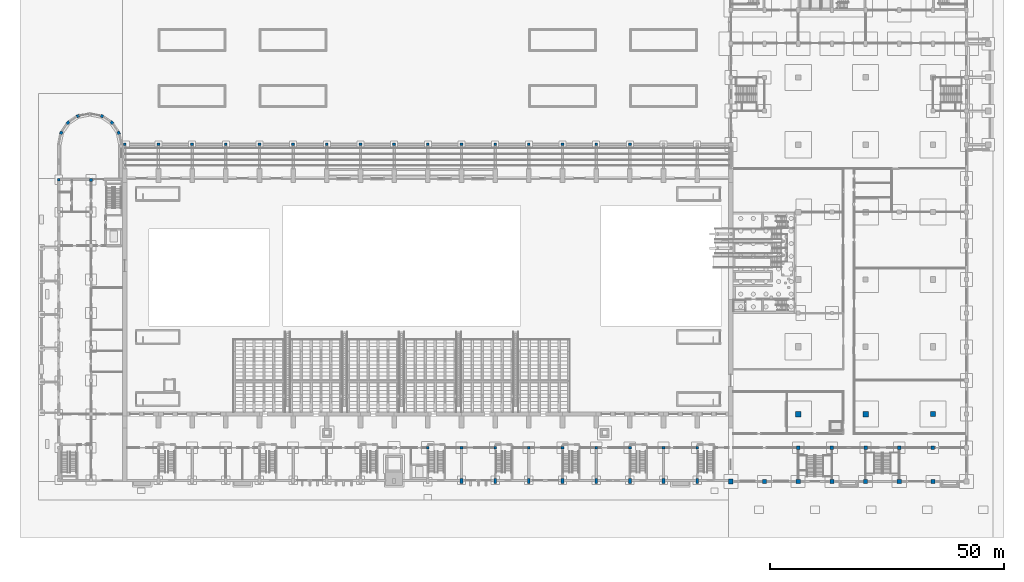
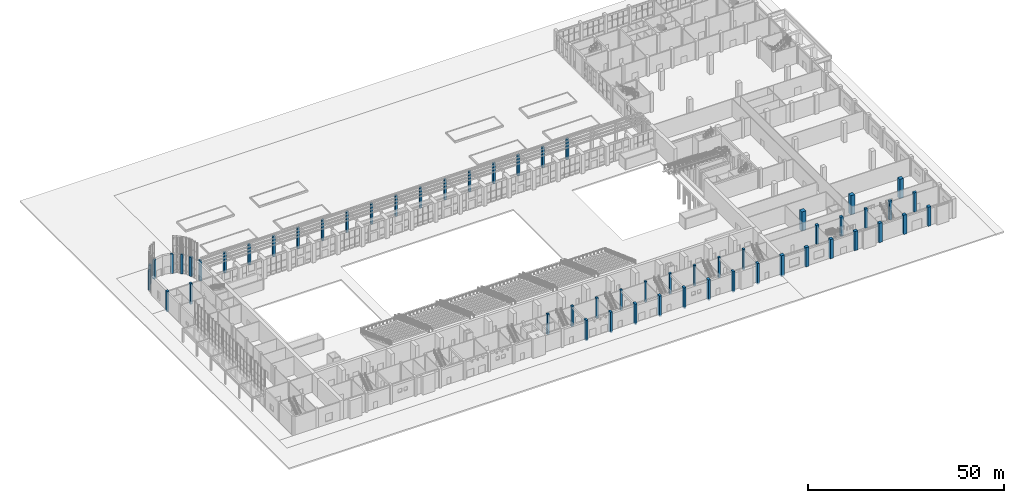
# One storey, part 5 of 70: 56 columns.
"""IFC4 building model written with IfcOpenShell, lengths in metres."""

from ifc_helpers import new_model, si_unit, direction, frame, origin, origin_2d, place, context, subcontext, project, spatial, rectangle, extrude, material, material_profile, profile_set, type_object, element, save


model = new_model("IFC4")

# Units and contexts
model_context = context("Model", 3, precision=1e-05, world=origin(), true_north=direction((0.0, 1.0)))
body_context = subcontext(model_context, "Body", "Model", "MODEL_VIEW")
ifc_project = project(units=[si_unit("LENGTHUNIT", "METRE"), si_unit("AREAUNIT", "SQUARE_METRE"), si_unit("VOLUMEUNIT", "CUBIC_METRE"), si_unit("PLANEANGLEUNIT", "RADIAN"), si_unit("MASSUNIT", "GRAM", prefix="KILO")], contexts=[model_context])

# Site, building, storey
site_placement = place(None, origin())
site = spatial("IfcSite", under=ifc_project, at=site_placement, CompositionType="ELEMENT")
building_placement = place(site_placement, origin())
building = spatial("IfcBuilding", under=site, at=building_placement, Name="Vermilion Court Aquatics Centre", CompositionType="ELEMENT")
storey_placement = place(building_placement, origin())
storey = spatial("IfcBuildingStorey", under=building, at=storey_placement, Name="L00", CompositionType="ELEMENT", Elevation=0.0)

# Columns
ifc_material_1 = material(Name="Concrete 5000 psi", Category="concrete")
ifc_material_profile_1 = material_profile(ifc_material_1, rectangle(XDim=0.60009765625, YDim=0.60009765625, at=origin_2d()), Name="RC 600x600")
ifc_profile_set_1 = profile_set([ifc_material_profile_1], Name="Concrete 5000 psi")
column_type_1 = type_object("IfcColumnType", Name="Court arcade column RC 600x600", PredefinedType="COLUMN", material=ifc_profile_set_1)
for number, where, z_axis, x_axis, name in (
    (1, (14.39990234375, 72.10009765625, -0.449951171875), (0.0, 0.0, 1.0), (1.0, 0.0, 0.0), "Court arcade column 1"),
    (2, (21.60009765625, 72.10009765625, -0.449951171875), (0.0, 0.0, 1.0), (1.0, 0.0, 0.0), "Court arcade column 2"),
    (3, (28.800048828125, 72.10009765625, -0.449951171875), (0.0, 0.0, 1.0), (1.0, 0.0, 0.0), "Court arcade column 3"),
    (4, (36.0, 72.10009765625, -0.449951171875), (0.0, 0.0, 1.0), (1.0, 0.0, 0.0), "Court arcade column 4"),
    (5, (43.199951171875, 72.10009765625, -0.449951171875), (0.0, 0.0, 1.0), (1.0, 0.0, 0.0), "Court arcade column 5"),
    (6, (50.39990234375, 72.10009765625, -0.449951171875), (0.0, 0.0, 1.0), (1.0, 0.0, 0.0), "Court arcade column 6"),
    (7, (57.60009765625, 72.10009765625, -0.449951171875), (0.0, 0.0, 1.0), (1.0, 0.0, 0.0), "Court arcade column 7"),
    (8, (64.800048828125, 72.10009765625, -0.449951171875), (0.0, 0.0, 1.0), (1.0, 0.0, 0.0), "Court arcade column 8"),
    (9, (72.0, 72.10009765625, -0.449951171875), (0.0, 0.0, 1.0), (1.0, 0.0, 0.0), "Court arcade column 9"),
    (10, (79.199951171875, 72.10009765625, -0.449951171875), (0.0, 0.0, 1.0), (1.0, 0.0, 0.0), "Court arcade column 10"),
    (11, (86.39990234375, 72.10009765625, -0.449951171875), (0.0, 0.0, 1.0), (1.0, 0.0, 0.0), "Court arcade column 11"),
    (12, (93.60009765625, 72.10009765625, -0.449951171875), (0.0, 0.0, 1.0), (1.0, 0.0, 0.0), "Court arcade column 12"),
    (13, (100.800048828125, 72.10009765625, -0.449951171875), (0.0, 0.0, 1.0), (1.0, 0.0, 0.0), "Court arcade column 13"),
    (14, (108.0, 72.10009765625, -0.449951171875), (0.0, 0.0, 1.0), (1.0, 0.0, 0.0), "Court arcade column 14"),
    (15, (115.199951171875, 72.10009765625, -0.449951171875), (0.0, 0.0, 1.0), (1.0, 0.0, 0.0), "Court arcade column 15"),
    (16, (122.39990234375, 72.10009765625, -0.449951171875), (0.0, 0.0, 1.0), (1.0, 0.0, 0.0), "Court arcade column 16"),
):
    element("IfcColumn", number, at=place(storey_placement, frame(where, z_axis=z_axis, x_axis=x_axis)), inside=storey, type_object=column_type_1, Name=name, PredefinedType="COLUMN", context=body_context, shape_type="SweptSolid", body=[
        extrude(rectangle(XDim=0.60009765625, YDim=0.60009765625, at=origin_2d()), origin(), (0.0, 0.0, 1.0), 6.449951171875),
    ])
ifc_material_2 = material(Name="Concrete 5000 psi", Category="concrete")
ifc_material_profile_2 = material_profile(ifc_material_2, rectangle(XDim=0.60009765625, YDim=0.60009765625, at=origin_2d()), Name="RC 600x600")
ifc_profile_set_2 = profile_set([ifc_material_profile_2], Name="Concrete 5000 psi")
column_type_2 = type_object("IfcColumnType", Name="Foyer column RC 600x600", PredefinedType="COLUMN", material=ifc_profile_set_2)
column_1_placement = place(storey_placement, frame((0.300048828125, 64.5, -0.449951171875), z_axis=(0.0, 0.0, 1.0), x_axis=(1.0, 0.0, 0.0)))
element("IfcColumn", 17, at=column_1_placement, inside=storey, type_object=column_type_2, Name="Foyer column 10", PredefinedType="COLUMN", context=body_context, shape_type="SweptSolid", body=[
    extrude(rectangle(XDim=0.60009765625, YDim=0.60009765625, at=origin_2d()), origin(), (0.0, 0.0, 1.0), 6.449951171875),
])
ifc_material_3 = material(Name="Concrete 5000 psi", Category="concrete")
ifc_material_profile_3 = material_profile(ifc_material_3, rectangle(XDim=0.60009765625, YDim=0.699951171875, at=origin_2d()), Name="RC 600x700")
ifc_profile_set_3 = profile_set([ifc_material_profile_3], Name="Concrete 5000 psi")
column_type_3 = type_object("IfcColumnType", Name="Foyer column RC 600x700", PredefinedType="COLUMN", material=ifc_profile_set_3)
column_2_placement = place(storey_placement, frame((7.199951171875, 64.449951171875, -0.449951171875), z_axis=(0.0, 0.0, 1.0), x_axis=(1.0, 0.0, 0.0)))
element("IfcColumn", 18, at=column_2_placement, inside=storey, type_object=column_type_3, Name="Foyer column 20", PredefinedType="COLUMN", context=body_context, shape_type="SweptSolid", body=[
    extrude(rectangle(XDim=0.60009765625, YDim=0.699951171875, at=origin_2d()), origin(), (0.0, 0.0, 1.0), 6.449951171875),
])
ifc_material_4 = material(Name="Concrete 5000 psi", Category="concrete")
ifc_material_profile_4 = material_profile(ifc_material_4, rectangle(XDim=0.75, YDim=0.75, at=origin_2d()), Name="RC 750x750")
ifc_profile_set_4 = profile_set([ifc_material_profile_4], Name="Concrete 5000 psi")
column_type_4 = type_object("IfcColumnType", Name="Podium bay column RC 750x750", PredefinedType="COLUMN", material=ifc_profile_set_4)
for number, where, z_axis, x_axis, name in (
    (19, (158.39990234375, 7.199951171875, 0.0), (0.0, 0.0, 1.0), (1.0, 0.0, 0.0), "Column 23/B"),
    (20, (165.60009765625, 7.199951171875, 0.0), (0.0, 0.0, 1.0), (1.0, 0.0, 0.0), "Column 24/B"),
    (21, (172.800048828125, 7.199951171875, 0.0), (0.0, 0.0, 1.0), (1.0, 0.0, 0.0), "Column 25/B"),
    (22, (180.0, 7.199951171875, 0.0), (0.0, 0.0, 1.0), (1.0, 0.0, 0.0), "Column 26/B"),
    (23, (187.199951171875, 7.199951171875, 0.0), (0.0, 0.0, 1.0), (1.0, 0.0, 0.0), "Column 27/B"),
):
    element("IfcColumn", number, at=place(storey_placement, frame(where, z_axis=z_axis, x_axis=x_axis)), inside=storey, type_object=column_type_4, Name=name, PredefinedType="COLUMN", context=body_context, shape_type="SweptSolid", body=[
        extrude(rectangle(XDim=0.75, YDim=0.75, at=origin_2d()), origin(), (0.0, 0.0, 1.0), 6.0),
    ])
ifc_material_5 = material(Name="Concrete 5000 psi", Category="concrete")
ifc_material_profile_5 = material_profile(ifc_material_5, rectangle(XDim=1.0, YDim=1.0, at=origin_2d()), Name="RC 1000x1000")
ifc_profile_set_5 = profile_set([ifc_material_profile_5], Name="Concrete 5000 psi")
column_type_5 = type_object("IfcColumnType", Name="Podium corner column RC 1000x1000", PredefinedType="COLUMN", material=ifc_profile_set_5)
column_3_placement = place(storey_placement, frame((144.0, 0.0, -0.5), z_axis=(0.0, 0.0, 1.0), x_axis=(1.0, 0.0, 0.0)))
element("IfcColumn", 24, at=column_3_placement, inside=storey, type_object=column_type_5, Name="Column 21/A", PredefinedType="COLUMN", context=body_context, shape_type="SweptSolid", body=[
    extrude(rectangle(XDim=1.0, YDim=1.0, at=origin_2d()), origin(), (0.0, 0.0, 1.0), 6.5),
])
ifc_material_6 = material(Name="Concrete 5000 psi", Category="concrete")
ifc_material_profile_6 = material_profile(ifc_material_6, rectangle(XDim=0.89990234375, YDim=0.89990234375, at=origin_2d()), Name="RC 900x900")
ifc_profile_set_6 = profile_set([ifc_material_profile_6], Name="Concrete 5000 psi")
column_type_6 = type_object("IfcColumnType", Name="Podium facade column RC 900x900", PredefinedType="COLUMN", material=ifc_profile_set_6)
for number, where, z_axis, x_axis, name in (
    (25, (151.199951171875, 0.0, 0.0), (0.0, 0.0, 1.0), (1.0, 0.0, 0.0), "Column 22/A"),
    (26, (158.39990234375, 0.0, 0.0), (0.0, 0.0, 1.0), (1.0, 0.0, 0.0), "Column 23/A"),
    (27, (165.60009765625, 0.0, 0.0), (0.0, 0.0, 1.0), (1.0, 0.0, 0.0), "Column 24/A"),
    (28, (172.800048828125, 0.0, 0.0), (0.0, 0.0, 1.0), (1.0, 0.0, 0.0), "Column 25/A"),
    (29, (180.0, 0.0, 0.0), (0.0, 0.0, 1.0), (1.0, 0.0, 0.0), "Column 26/A"),
    (30, (187.199951171875, 0.0, 0.0), (0.0, 0.0, 1.0), (1.0, 0.0, 0.0), "Column 27/A"),
):
    element("IfcColumn", number, at=place(storey_placement, frame(where, z_axis=z_axis, x_axis=x_axis)), inside=storey, type_object=column_type_6, Name=name, PredefinedType="COLUMN", context=body_context, shape_type="SweptSolid", body=[
        extrude(rectangle(XDim=0.89990234375, YDim=0.89990234375, at=origin_2d()), origin(), (0.0, 0.0, 1.0), 6.0),
    ])
ifc_material_7 = material(Name="Concrete 5000 psi", Category="concrete")
ifc_material_profile_7 = material_profile(ifc_material_7, rectangle(XDim=1.10009765625, YDim=1.10009765625, at=origin_2d()), Name="RC 1100x1100")
ifc_profile_set_7 = profile_set([ifc_material_profile_7], Name="Concrete 5000 psi")
column_type_7 = type_object("IfcColumnType", Name="Podium node column 1100", PredefinedType="COLUMN", material=ifc_profile_set_7)
column_4_placement = place(storey_placement, frame((187.199951171875, 14.39990234375, 0.0), z_axis=(0.0, 0.0, 1.0), x_axis=(1.0, 0.0, 0.0)))
element("IfcColumn", 31, at=column_4_placement, inside=storey, type_object=column_type_7, Name="Column 27/C", PredefinedType="COLUMN", context=body_context, shape_type="SweptSolid", body=[
    extrude(rectangle(XDim=1.10009765625, YDim=1.10009765625, at=origin_2d()), origin(), (0.0, 0.0, 1.0), 6.0),
])
ifc_material_8 = material(Name="Concrete 5000 psi", Category="concrete")
ifc_material_profile_8 = material_profile(ifc_material_8, rectangle(XDim=1.199951171875, YDim=1.199951171875, at=origin_2d()), Name="RC 1200x1200")
ifc_profile_set_8 = profile_set([ifc_material_profile_8], Name="Concrete 5000 psi")
column_type_8 = type_object("IfcColumnType", Name="Podium node column 1200", PredefinedType="COLUMN", material=ifc_profile_set_8)
for number, where, z_axis, x_axis, name in (
    (32, (158.39990234375, 14.39990234375, 0.0), (0.0, 0.0, 1.0), (1.0, 0.0, 0.0), "Column 23/C"),
    (33, (172.800048828125, 14.39990234375, 0.0), (0.0, 0.0, 1.0), (1.0, 0.0, 0.0), "Column 25/C"),
):
    element("IfcColumn", number, at=place(storey_placement, frame(where, z_axis=z_axis, x_axis=x_axis)), inside=storey, type_object=column_type_8, Name=name, PredefinedType="COLUMN", context=body_context, shape_type="SweptSolid", body=[
        extrude(rectangle(XDim=1.199951171875, YDim=1.199951171875, at=origin_2d()), origin(), (0.0, 0.0, 1.0), 6.0),
    ])
ifc_material_9 = material(Name="Concrete 5000 psi", Category="concrete")
ifc_material_profile_9 = material_profile(ifc_material_9, rectangle(XDim=0.60009765625, YDim=0.699951171875, at=origin_2d()), Name="RC 600x700")
ifc_profile_set_9 = profile_set([ifc_material_profile_9], Name="Concrete 5000 psi")
column_type_9 = type_object("IfcColumnType", Name="Rotunda pier column RC 600x700", PredefinedType="COLUMN", material=ifc_profile_set_9)
for number, where, z_axis, x_axis, name in (
    (34, (0.8115234375, 74.54248046875, 0.0), (0.0, 0.0, 1.0), (-0.923879532511, 0.382683432365, 0.0), "Rotunda pier"),
    (35, (2.251953125, 76.697998046875, 0.0), (0.0, 0.0, 1.0), (-0.707106781187, 0.707106781187, 0.0), "Rotunda pier"),
    (36, (4.407470703125, 78.138427734375, 0.0), (0.0, 0.0, 1.0), (-0.382683432365, 0.923879532511, 0.0), "Rotunda pier"),
    (37, (9.49267578125, 78.138427734375, 0.0), (0.0, 0.0, 1.0), (0.382683432365, 0.923879532511, 0.0), "Rotunda pier"),
    (38, (11.648193359375, 76.697998046875, 0.0), (0.0, 0.0, 1.0), (0.707106781187, 0.707106781187, 0.0), "Rotunda pier"),
    (39, (13.08837890625, 74.54248046875, 0.0), (0.0, 0.0, 1.0), (0.923879532511, 0.382683432365, 0.0), "Rotunda pier"),
):
    element("IfcColumn", number, at=place(storey_placement, frame(where, z_axis=z_axis, x_axis=x_axis)), inside=storey, type_object=column_type_9, Name=name, PredefinedType="COLUMN", context=body_context, shape_type="SweptSolid", body=[
        extrude(rectangle(XDim=0.60009765625, YDim=0.699951171875, at=origin_2d()), origin(), (0.0, 0.0, 1.0), 6.0),
    ])
ifc_material_10 = material(Name="Concrete 5000 psi", Category="concrete")
ifc_material_profile_10 = material_profile(ifc_material_10, rectangle(XDim=0.60009765625, YDim=0.60009765625, at=origin_2d()), Name="RC 600x600")
ifc_profile_set_10 = profile_set([ifc_material_profile_10], Name="Concrete 5000 psi")
column_type_10 = type_object("IfcColumnType", Name="South column RC 600x600", PredefinedType="COLUMN", material=ifc_profile_set_10)
for number, where, z_axis, x_axis, name in (
    (40, (79.199951171875, 7.199951171875, -0.405029296875), (0.0, 0.0, 1.0), (1.0, 0.0, 0.0), "Column B9"),
    (41, (86.39990234375, 7.199951171875, -0.405029296875), (0.0, 0.0, 1.0), (1.0, 0.0, 0.0), "Column B10"),
    (42, (93.60009765625, 7.199951171875, -0.405029296875), (0.0, 0.0, 1.0), (1.0, 0.0, 0.0), "Column B11"),
    (43, (100.800048828125, 7.199951171875, -0.405029296875), (0.0, 0.0, 1.0), (1.0, 0.0, 0.0), "Column B12"),
    (44, (108.0, 7.199951171875, -0.405029296875), (0.0, 0.0, 1.0), (1.0, 0.0, 0.0), "Column B13"),
    (45, (115.199951171875, 7.199951171875, -0.405029296875), (0.0, 0.0, 1.0), (1.0, 0.0, 0.0), "Column B14"),
    (46, (122.39990234375, 7.199951171875, -0.405029296875), (0.0, 0.0, 1.0), (1.0, 0.0, 0.0), "Column B15"),
    (47, (129.60009765625, 7.199951171875, -0.405029296875), (0.0, 0.0, 1.0), (1.0, 0.0, 0.0), "Column B16"),
    (48, (136.800048828125, 7.199951171875, -0.405029296875), (0.0, 0.0, 1.0), (1.0, 0.0, 0.0), "Column B17"),
):
    element("IfcColumn", number, at=place(storey_placement, frame(where, z_axis=z_axis, x_axis=x_axis)), inside=storey, type_object=column_type_10, Name=name, PredefinedType="COLUMN", context=body_context, shape_type="SweptSolid", body=[
        extrude(rectangle(XDim=0.60009765625, YDim=0.60009765625, at=origin_2d()), origin(), (0.0, 0.0, 1.0), 6.405029296875),
    ])
ifc_material_11 = material(Name="Concrete 5000 psi", Category="concrete")
ifc_material_profile_11 = material_profile(ifc_material_11, rectangle(XDim=0.60009765625, YDim=1.050048828125, at=origin_2d()), Name="RC 600x1050")
ifc_profile_set_11 = profile_set([ifc_material_profile_11], Name="Concrete 5000 psi")
column_type_11 = type_object("IfcColumnType", Name="South pier RC 600x1050", PredefinedType="COLUMN", material=ifc_profile_set_11)
for number, where, z_axis, x_axis, name in (
    (49, (86.39990234375, 0.074951171875, -0.449951171875), (0.0, 0.0, 1.0), (1.0, 0.0, 0.0), "Column A10"),
    (50, (93.60009765625, 0.074951171875, -0.449951171875), (0.0, 0.0, 1.0), (1.0, 0.0, 0.0), "Column A11"),
    (51, (100.800048828125, 0.074951171875, -0.449951171875), (0.0, 0.0, 1.0), (1.0, 0.0, 0.0), "Column A12"),
    (52, (108.0, 0.074951171875, -0.449951171875), (0.0, 0.0, 1.0), (1.0, 0.0, 0.0), "Column A13"),
    (53, (115.199951171875, 0.074951171875, -0.449951171875), (0.0, 0.0, 1.0), (1.0, 0.0, 0.0), "Column A14"),
    (54, (122.39990234375, 0.074951171875, -0.449951171875), (0.0, 0.0, 1.0), (1.0, 0.0, 0.0), "Column A15"),
    (55, (129.60009765625, 0.074951171875, -0.449951171875), (0.0, 0.0, 1.0), (1.0, 0.0, 0.0), "Column A16"),
    (56, (136.800048828125, 0.074951171875, -0.449951171875), (0.0, 0.0, 1.0), (1.0, 0.0, 0.0), "Column A17"),
):
    element("IfcColumn", number, at=place(storey_placement, frame(where, z_axis=z_axis, x_axis=x_axis)), inside=storey, type_object=column_type_11, Name=name, PredefinedType="COLUMN", context=body_context, shape_type="SweptSolid", body=[
        extrude(rectangle(XDim=0.60009765625, YDim=1.050048828125, at=origin_2d()), origin(), (0.0, 0.0, 1.0), 6.449951171875),
    ])

save(model, "model.ifc")
